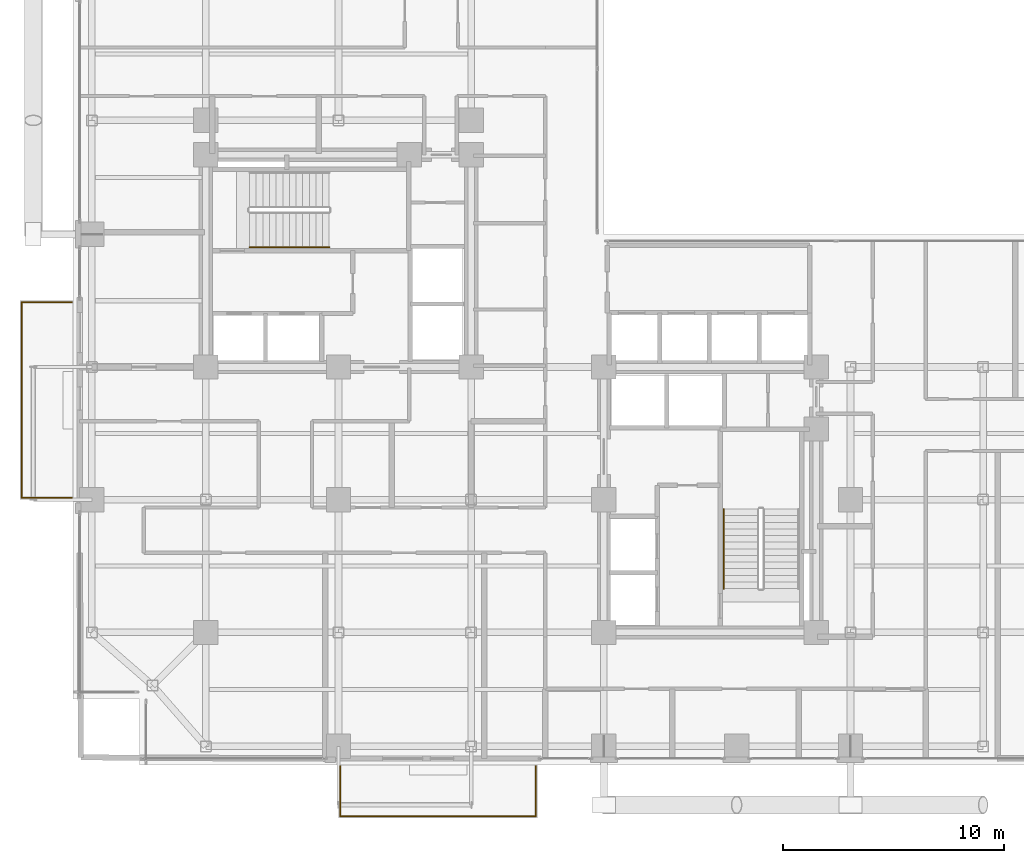
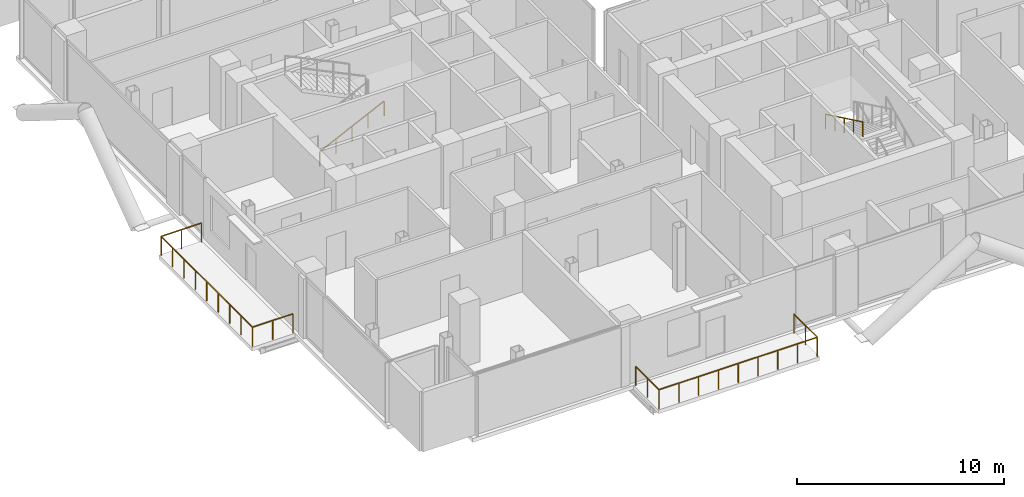
# One storey, part 23 of 24: 4 railings.
"""IFC4 building model written with IfcOpenShell, lengths in metres."""

from ifc_helpers import new_model, si_unit, direction, frame, origin, origin_2d, place, context, subcontext, project, spatial, rectangle, extrude, material, type_object, element, save


model = new_model("IFC4")

# Units and contexts
model_context = context("Model", 3, precision=1e-05, world=origin(), true_north=direction((0.0, 1.0)))
body_context = subcontext(model_context, "Body", "Model", "MODEL_VIEW")
ifc_project = project(units=[si_unit("LENGTHUNIT", "METRE"), si_unit("AREAUNIT", "SQUARE_METRE"), si_unit("VOLUMEUNIT", "CUBIC_METRE"), si_unit("PLANEANGLEUNIT", "RADIAN"), si_unit("MASSUNIT", "GRAM", prefix="KILO"), si_unit("THERMODYNAMICTEMPERATUREUNIT", "KELVIN"), si_unit("POWERUNIT", "WATT")], contexts=[model_context])

# Site, building, storey
site_placement = place(None, origin())
site = spatial("IfcSite", under=ifc_project, at=site_placement, CompositionType="ELEMENT")
building_placement = place(site_placement, origin())
building = spatial("IfcBuilding", under=site, at=building_placement, Name="Svarakhadi Broadcast Tower", CompositionType="ELEMENT")
storey_placement = place(building_placement, frame((0.0, 0.0, 130.64990234375)))
storey = spatial("IfcBuildingStorey", under=building, at=storey_placement, Name="L31", CompositionType="ELEMENT", Elevation=130.64990234375)

# Railings
ifc_material_1 = material(Name="Laminated Structural SentryGlas Balustrade 25.5 mm", Category="glass")
railing_type_1 = type_object("IfcRailingType", Name="Guard_Balcony_GR01", PredefinedType="BALUSTRADE", material=ifc_material_1)
railing_1_placement = place(storey_placement, frame((12.080078125, -0.06005859375, 0.0)))
element("IfcRailing", 1, at=railing_1_placement, inside=storey, type_object=railing_type_1, Name="L31 South Tree Balcony Guard GR-05", PredefinedType="BALUSTRADE", context=body_context, shape_type="SweptSolid", body=[
    extrude(rectangle(XDim=0.048095703125, YDim=0.048095703125, at=origin_2d()), frame((0.0, 0.0, 1.1259765625), z_axis=(0.0, -1.0, 0.0), x_axis=(1.0, 0.0, 0.0)), (0.0, 0.0, 1.0), 2.260009765625),
    extrude(rectangle(XDim=0.048095703125, YDim=0.048095703125, at=origin_2d()), frame((0.0, -2.260009765625, 1.1259765625), z_axis=(1.0, 0.0, 0.0), x_axis=(0.0, 1.0, 0.0)), (0.0, 0.0, 1.0), 8.83984375),
    extrude(rectangle(XDim=0.048095703125, YDim=0.048095703125, at=origin_2d()), frame((8.83984375, -2.260009765625, 1.1259765625), z_axis=(0.0, 1.0, 0.0), x_axis=(-1.0, 0.0, 0.0)), (0.0, 0.0, 1.0), 2.260009765625),
    extrude(rectangle(XDim=0.0419921875, YDim=0.0419921875, at=origin_2d()), origin(), (0.0, 0.0, 1.0), 1.101806640625),
    extrude(rectangle(XDim=0.0419921875, YDim=0.0419921875, at=origin_2d()), frame((0.0, -1.1298828125, 0.0)), (0.0, 0.0, 1.0), 1.101806640625),
    extrude(rectangle(XDim=0.0419921875, YDim=0.0419921875, at=origin_2d()), frame((0.0, -2.260009765625, 0.0)), (0.0, 0.0, 1.0), 1.101806640625),
    extrude(rectangle(XDim=0.0419921875, YDim=0.0419921875, at=origin_2d()), frame((1.10498046875, -2.260009765625, 0.0)), (0.0, 0.0, 1.0), 1.101806640625),
    extrude(rectangle(XDim=0.0419921875, YDim=0.0419921875, at=origin_2d()), frame((2.2099609375, -2.260009765625, 0.0)), (0.0, 0.0, 1.0), 1.101806640625),
    extrude(rectangle(XDim=0.0419921875, YDim=0.0419921875, at=origin_2d()), frame((3.31494140625, -2.260009765625, 0.0)), (0.0, 0.0, 1.0), 1.101806640625),
    extrude(rectangle(XDim=0.0419921875, YDim=0.0419921875, at=origin_2d()), frame((4.419921875, -2.260009765625, 0.0)), (0.0, 0.0, 1.0), 1.101806640625),
    extrude(rectangle(XDim=0.0419921875, YDim=0.0419921875, at=origin_2d()), frame((5.52490234375, -2.260009765625, 0.0)), (0.0, 0.0, 1.0), 1.101806640625),
    extrude(rectangle(XDim=0.0419921875, YDim=0.0419921875, at=origin_2d()), frame((6.6298828125, -2.260009765625, 0.0)), (0.0, 0.0, 1.0), 1.101806640625),
    extrude(rectangle(XDim=0.0419921875, YDim=0.0419921875, at=origin_2d()), frame((7.73486328125, -2.260009765625, 0.0)), (0.0, 0.0, 1.0), 1.101806640625),
    extrude(rectangle(XDim=0.0419921875, YDim=0.0419921875, at=origin_2d()), frame((8.83984375, -2.260009765625, 0.0)), (0.0, 0.0, 1.0), 1.101806640625),
    extrude(rectangle(XDim=0.0419921875, YDim=0.0419921875, at=origin_2d()), frame((8.83984375, -1.1298828125, 0.0)), (0.0, 0.0, 1.0), 1.101806640625),
    extrude(rectangle(XDim=0.0419921875, YDim=0.0419921875, at=origin_2d()), frame((8.83984375, 0.0, 0.0)), (0.0, 0.0, 1.0), 1.101806640625),
])
railing_2_placement = place(storey_placement, frame((-0.06005859375, 12.080078125, 0.0)))
element("IfcRailing", 2, at=railing_2_placement, inside=storey, type_object=railing_type_1, Name="L31 West Tree Balcony Guard GR-05", PredefinedType="BALUSTRADE", context=body_context, shape_type="SweptSolid", body=[
    extrude(rectangle(XDim=0.048095703125, YDim=0.048095703125, at=origin_2d()), frame((0.0, 0.0, 1.1259765625), z_axis=(-1.0, 0.0, 0.0), x_axis=(0.0, -1.0, 0.0)), (0.0, 0.0, 1.0), 2.260009765625),
    extrude(rectangle(XDim=0.048095703125, YDim=0.048095703125, at=origin_2d()), frame((-2.260009765625, 0.0, 1.1259765625), z_axis=(0.0, 1.0, 0.0), x_axis=(-1.0, 0.0, 0.0)), (0.0, 0.0, 1.0), 8.83984375),
    extrude(rectangle(XDim=0.048095703125, YDim=0.048095703125, at=origin_2d()), frame((-2.260009765625, 8.83984375, 1.1259765625), z_axis=(1.0, 0.0, 0.0), x_axis=(0.0, 1.0, 0.0)), (0.0, 0.0, 1.0), 2.260009765625),
    extrude(rectangle(XDim=0.0419921875, YDim=0.0419921875, at=origin_2d()), origin(), (0.0, 0.0, 1.0), 1.101806640625),
    extrude(rectangle(XDim=0.0419921875, YDim=0.0419921875, at=origin_2d()), frame((-1.1298828125, 0.0, 0.0)), (0.0, 0.0, 1.0), 1.101806640625),
    extrude(rectangle(XDim=0.0419921875, YDim=0.0419921875, at=origin_2d()), frame((-2.260009765625, 0.0, 0.0)), (0.0, 0.0, 1.0), 1.101806640625),
    extrude(rectangle(XDim=0.0419921875, YDim=0.0419921875, at=origin_2d()), frame((-2.260009765625, 1.10498046875, 0.0)), (0.0, 0.0, 1.0), 1.101806640625),
    extrude(rectangle(XDim=0.0419921875, YDim=0.0419921875, at=origin_2d()), frame((-2.260009765625, 2.2099609375, 0.0)), (0.0, 0.0, 1.0), 1.101806640625),
    extrude(rectangle(XDim=0.0419921875, YDim=0.0419921875, at=origin_2d()), frame((-2.260009765625, 3.31494140625, 0.0)), (0.0, 0.0, 1.0), 1.101806640625),
    extrude(rectangle(XDim=0.0419921875, YDim=0.0419921875, at=origin_2d()), frame((-2.260009765625, 4.419921875, 0.0)), (0.0, 0.0, 1.0), 1.101806640625),
    extrude(rectangle(XDim=0.0419921875, YDim=0.0419921875, at=origin_2d()), frame((-2.260009765625, 5.52490234375, 0.0)), (0.0, 0.0, 1.0), 1.101806640625),
    extrude(rectangle(XDim=0.0419921875, YDim=0.0419921875, at=origin_2d()), frame((-2.260009765625, 6.6298828125, 0.0)), (0.0, 0.0, 1.0), 1.101806640625),
    extrude(rectangle(XDim=0.0419921875, YDim=0.0419921875, at=origin_2d()), frame((-2.260009765625, 7.73486328125, 0.0)), (0.0, 0.0, 1.0), 1.101806640625),
    extrude(rectangle(XDim=0.0419921875, YDim=0.0419921875, at=origin_2d()), frame((-2.260009765625, 8.83984375, 0.0)), (0.0, 0.0, 1.0), 1.101806640625),
    extrude(rectangle(XDim=0.0419921875, YDim=0.0419921875, at=origin_2d()), frame((-1.1298828125, 8.83984375, 0.0)), (0.0, 0.0, 1.0), 1.101806640625),
    extrude(rectangle(XDim=0.0419921875, YDim=0.0419921875, at=origin_2d()), frame((0.0, 8.83984375, 0.0)), (0.0, 0.0, 1.0), 1.101806640625),
])
ifc_material_2 = material(Name="Anodised Bronze Aluminium AA 6063-T6", Category="aluminium")
railing_type_2 = type_object("IfcRailingType", Name="Handrail_Stair_HR01", PredefinedType="HANDRAIL", material=ifc_material_2)
railing_3_placement = place(storey_placement, frame((7.97998046875, 23.409912109375, 0.144287109375)))
element("IfcRailing", 3, at=railing_3_placement, inside=storey, type_object=railing_type_2, Name="L31 ST-01 stair handrail 1", PredefinedType="HANDRAIL", context=body_context, shape_type="SweptSolid", body=[
    extrude(rectangle(XDim=0.048095703125, YDim=0.048095703125, at=origin_2d()), frame((0.0, 0.0, 0.8759765625), z_axis=(0.901262522062, 0.0, 0.433273431364), x_axis=(0.0, 1.0, 0.0)), (0.0, 0.0, 1.0), 3.994384765625),
    extrude(rectangle(XDim=0.0419921875, YDim=0.0419921875, at=origin_2d()), origin(), (0.0, 0.0, 1.0), 0.851806640625),
    extrude(rectangle(XDim=0.0419921875, YDim=0.0419921875, at=origin_2d()), frame((0.89990234375, 0.0, 0.4326171875)), (0.0, 0.0, 1.0), 0.851806640625),
    extrude(rectangle(XDim=0.0419921875, YDim=0.0419921875, at=origin_2d()), frame((1.800048828125, 0.0, 0.865234375)), (0.0, 0.0, 1.0), 0.851806640625),
    extrude(rectangle(XDim=0.0419921875, YDim=0.0419921875, at=origin_2d()), frame((2.7001953125, 0.0, 1.298095703125)), (0.0, 0.0, 1.0), 0.851806640625),
    extrude(rectangle(XDim=0.0419921875, YDim=0.0419921875, at=origin_2d()), frame((3.60009765625, 0.0, 1.730712890625)), (0.0, 0.0, 1.0), 0.851806640625),
])
railing_4_placement = place(storey_placement, frame((29.409912109375, 11.580078125, 2.019287109375)))
element("IfcRailing", 4, at=railing_4_placement, inside=storey, type_object=railing_type_2, Name="L31 ST-02 stair handrail 2", PredefinedType="HANDRAIL", context=body_context, shape_type="SweptSolid", body=[
    extrude(rectangle(XDim=0.048095703125, YDim=0.048095703125, at=origin_2d()), frame((0.0, 0.0, 0.8759765625), z_axis=(0.0, -0.901262522062, 0.433273431364), x_axis=(1.0, 0.0, 0.0)), (0.0, 0.0, 1.0), 3.994384765625),
    extrude(rectangle(XDim=0.0419921875, YDim=0.0419921875, at=origin_2d()), origin(), (0.0, 0.0, 1.0), 0.851806640625),
    extrude(rectangle(XDim=0.0419921875, YDim=0.0419921875, at=origin_2d()), frame((0.0, -0.89990234375, 0.4326171875)), (0.0, 0.0, 1.0), 0.851806640625),
    extrude(rectangle(XDim=0.0419921875, YDim=0.0419921875, at=origin_2d()), frame((0.0, -1.800048828125, 0.865234375)), (0.0, 0.0, 1.0), 0.851806640625),
    extrude(rectangle(XDim=0.0419921875, YDim=0.0419921875, at=origin_2d()), frame((0.0, -2.7001953125, 1.298095703125)), (0.0, 0.0, 1.0), 0.851806640625),
    extrude(rectangle(XDim=0.0419921875, YDim=0.0419921875, at=origin_2d()), frame((0.0, -3.60009765625, 1.730712890625)), (0.0, 0.0, 1.0), 0.851806640625),
])

save(model, "model.ifc")
